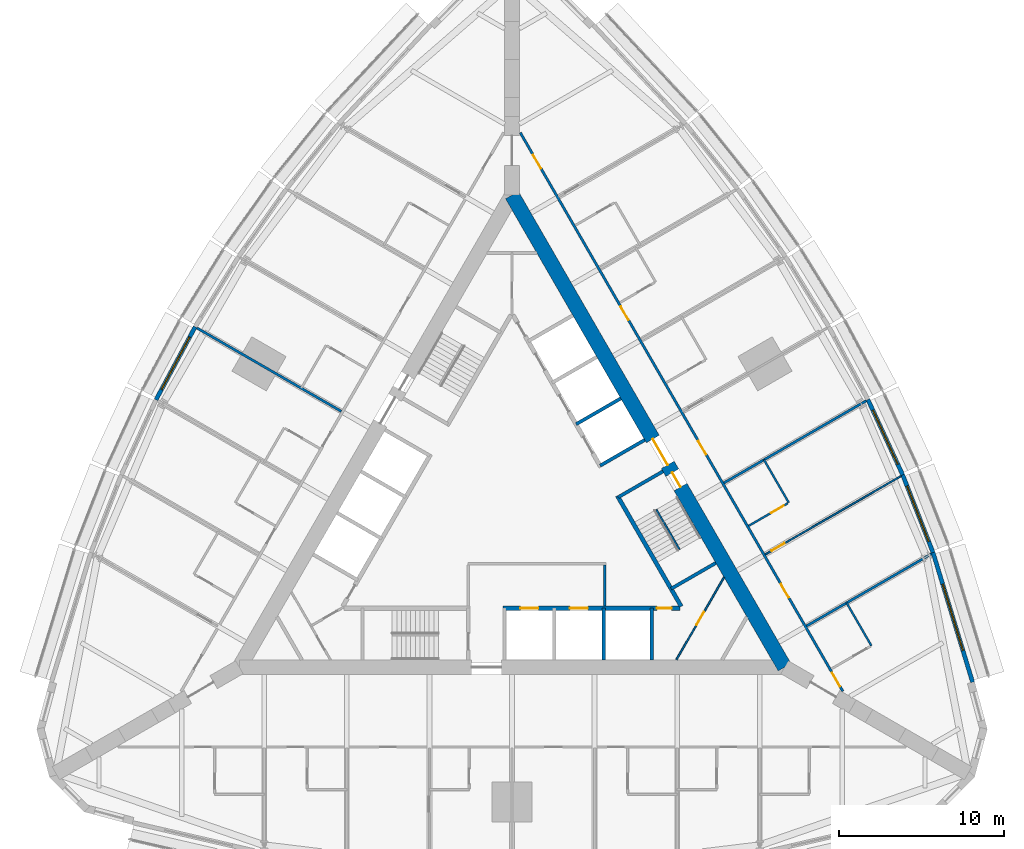
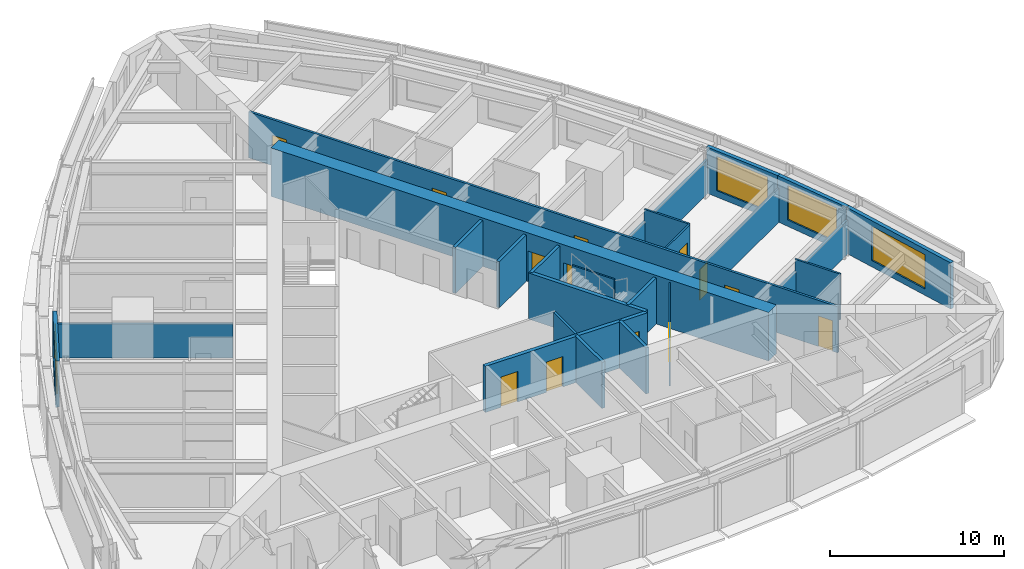
# One storey, part 11 of 14: 24 walls, 13 doors, 4 windows, 17 openings.
"""IFC4 building model written with IfcOpenShell, lengths in metres."""

from ifc_helpers import new_model, si_unit, direction, frame, frame_2d, origin, place, context, subcontext, project, spatial, rectangle, extrude, material, layer, layer_set, type_object, element, fill, save


model = new_model("IFC4")

# Units and contexts
model_context = context("Model", 3, precision=1e-05, world=origin(), true_north=direction((0.0, 1.0)))
body_context = subcontext(model_context, "Body", "Model", "MODEL_VIEW")
ifc_project = project(units=[si_unit("LENGTHUNIT", "METRE"), si_unit("AREAUNIT", "SQUARE_METRE"), si_unit("VOLUMEUNIT", "CUBIC_METRE"), si_unit("PLANEANGLEUNIT", "RADIAN"), si_unit("MASSUNIT", "GRAM", prefix="KILO")], contexts=[model_context])

# Site, building, storey
site_placement = place(None, origin())
site = spatial("IfcSite", under=ifc_project, at=site_placement, CompositionType="ELEMENT")
building_placement = place(site_placement, origin())
building = spatial("IfcBuilding", under=site, at=building_placement, Name="Trikona Tower", CompositionType="ELEMENT")
storey_placement = place(building_placement, frame((0.0, 0.0, 69.300048828125)))
storey = spatial("IfcBuildingStorey", under=building, at=storey_placement, Name="L17", CompositionType="ELEMENT", Elevation=69.300048828125)

# Walls
ifc_material_1 = material(Name="Metal stud and cement board", Category="gypsum")
ifc_layer_1 = layer(ifc_material_1, 0.1201171875)
ifc_layer_set_1 = layer_set([ifc_layer_1], Name="Bathroom wall 120")
wall_type_1 = type_object("IfcWallType", Name="Bathroom wall 120", PredefinedType="PLUMBINGWALL", material=ifc_layer_set_1)
for number, where, z_axis, x_axis, name in (
    (1, (21.75341796875, -8.225341796875, 0.0), (0.0, 0.0, 1.0), (-0.499990139034, 0.866031096941, 0.0), "Bathroom wall 1707"),
    (2, (16.75341796875, 0.434814453125, 0.0), (0.0, 0.0, 1.0), (-0.499990139034, 0.866031096941, 0.0), "Bathroom wall 1708.1"),
):
    element("IfcWall", number, at=place(storey_placement, frame(where, z_axis=z_axis, x_axis=x_axis)), inside=storey, type_object=wall_type_1, Name=name, PredefinedType="PLUMBINGWALL", context=body_context, shape_type="SweptSolid", body=[
        extrude(rectangle(XDim=3.0, YDim=0.1201171875, at=frame_2d((1.5, 0.0))), origin(), (0.0, 0.0, 1.0), 3.23486328125),
    ])

# Wall, opening, door
wall_1_placement = place(storey_placement, frame((14.32861328125, -0.965087890625, 0.0), z_axis=(0.0, 0.0, 1.0), x_axis=(0.866035715982, 0.499982138324, 0.0)))
wall_1 = element("IfcWall", 3, at=wall_1_placement, inside=storey, type_object=wall_type_1, Name="Bathroom wall 1708.1", PredefinedType="PLUMBINGWALL", context=body_context, shape_type="SweptSolid", body=[
    extrude(rectangle(XDim=2.73974609375, YDim=0.1201171875, at=frame_2d((1.369873046875, 0.0))), origin(), (0.0, 0.0, 1.0), 3.23486328125),
])
opening_1_placement = place(wall_1_placement, frame((1.550048828125, 0.0, 0.0)))
opening_1 = element("IfcOpeningElement", 4, at=opening_1_placement, cuts=wall_1, Name="Opening D2", PredefinedType="OPENING", context=body_context, shape_type="SweptSolid", body=[
    extrude(rectangle(XDim=0.89990234375, YDim=2.1298828125, at=frame_2d((0.449951171875, 1.06494140625))), frame((0.0, 0.070068359375, 0.0), z_axis=(0.0, -1.0, 0.0), x_axis=(1.0, 0.0, 0.0)), (0.0, 0.0, 1.0), 0.14013671875),
])
ifc_material_2 = material(Name="Steel door frame with solid-core timber leaf", Category="steel")
door_type_1 = type_object("IfcDoorType", Name="Bathroom door 900x2130", OperationType="SLIDING_TO_LEFT", PredefinedType="DOOR", material=ifc_material_2)
door_1_placement = place(opening_1_placement, origin())
door_1 = element("IfcDoor", 5, at=door_1_placement, inside=storey, type_object=door_type_1, Name="Bathroom door 1708.1", OperationType="SLIDING_TO_LEFT", OverallHeight=2.1298828125, OverallWidth=0.89990234375, PredefinedType="DOOR", context=body_context, shape_type="SweptSolid", body=[
    extrude(rectangle(XDim=0.89990234375, YDim=2.1298828125, at=frame_2d((0.449951171875, 1.06494140625))), frame((0.0, 0.02490234375, 0.0), z_axis=(0.0, -1.0, 0.0), x_axis=(1.0, 0.0, 0.0)), (0.0, 0.0, 1.0), 0.050048828125),
])
fill(opening_1, door_1)

# Wall, openings, doors
ifc_material_3 = material(Name="Concrete f'c 10000 psi", Category="concrete")
ifc_layer_2 = layer(ifc_material_3, 0.89990234375)
ifc_layer_set_2 = layer_set([ifc_layer_2], Name="Core wall 900")
wall_type_2 = type_object("IfcWallType", Name="Core wall 900", PredefinedType="SHEAR", material=ifc_layer_set_2)
wall_2_placement = place(storey_placement, frame((16.5, -9.5263671875, 0.0), z_axis=(0.0, 0.0, 1.0), x_axis=(-0.499999749417, 0.866025548458, 0.0)))
wall_2 = element("IfcWall", 6, at=wall_2_placement, inside=storey, type_object=wall_type_2, Name="Core wall B", PredefinedType="SHEAR", context=body_context, shape_type="SweptSolid", body=[
    extrude(rectangle(XDim=33.0, YDim=0.89990234375, at=frame_2d((16.5, 0.0))), origin(), (0.0, 0.0, 1.0), 3.39990234375),
])
opening_2_placement = place(wall_2_placement, frame((14.14990234375, 0.0, 0.0)))
opening_2 = element("IfcOpeningElement", 7, at=opening_2_placement, cuts=wall_2, Name="Opening D6", PredefinedType="OPENING", context=body_context, shape_type="SweptSolid", body=[
    extrude(rectangle(XDim=1.800048828125, YDim=2.1298828125, at=frame_2d((0.89990234375, 1.06494140625))), frame((0.0, 0.4599609375, 0.0), z_axis=(0.0, -1.0, 0.0), x_axis=(1.0, 0.0, 0.0)), (0.0, 0.0, 1.0), 0.919921875),
])
opening_3_placement = place(wall_2_placement, frame((12.60009765625, 0.0, 0.0)))
opening_3 = element("IfcOpeningElement", 8, at=opening_3_placement, cuts=wall_2, Name="Opening D5", PredefinedType="OPENING", context=body_context, shape_type="SweptSolid", body=[
    extrude(rectangle(XDim=1.0, YDim=2.1298828125, at=frame_2d((0.5, 1.06494140625))), frame((0.0, 0.4599609375, 0.0), z_axis=(0.0, -1.0, 0.0), x_axis=(1.0, 0.0, 0.0)), (0.0, 0.0, 1.0), 0.919921875),
])
ifc_material_4 = material(Name="Hollow metal door and frame", Category="steel")
door_type_2 = type_object("IfcDoorType", Name="Lobby door pair 1800x2130", OperationType="DOUBLE_DOOR_SINGLE_SWING", PredefinedType="DOOR", material=ifc_material_4)
door_2_placement = place(opening_2_placement, origin())
door_2 = element("IfcDoor", 9, at=door_2_placement, inside=storey, type_object=door_type_2, Name="Lift lobby door B", OperationType="DOUBLE_DOOR_SINGLE_SWING", OverallHeight=2.1298828125, OverallWidth=1.800048828125, PredefinedType="DOOR", context=body_context, shape_type="SweptSolid", body=[
    extrude(rectangle(XDim=1.800048828125, YDim=2.1298828125, at=frame_2d((0.89990234375, 1.06494140625))), frame((0.0, 0.02490234375, 0.0), z_axis=(0.0, -1.0, 0.0), x_axis=(1.0, 0.0, 0.0)), (0.0, 0.0, 1.0), 0.050048828125),
])
fill(opening_2, door_2)
ifc_material_5 = material(Name="Hollow metal door and frame", Category="steel")
door_type_3 = type_object("IfcDoorType", Name="Stair door 1000x2130", OperationType="SINGLE_SWING_LEFT", PredefinedType="DOOR", material=ifc_material_5)
door_3_placement = place(opening_3_placement, origin())
door_3 = element("IfcDoor", 10, at=door_3_placement, inside=storey, type_object=door_type_3, Name="Stair B door", OperationType="SINGLE_SWING_RIGHT", OverallHeight=2.1298828125, OverallWidth=1.0, PredefinedType="DOOR", context=body_context, shape_type="SweptSolid", body=[
    extrude(rectangle(XDim=1.0, YDim=2.1298828125, at=frame_2d((0.5, 1.06494140625))), frame((0.0, 0.02490234375, 0.0), z_axis=(0.0, -1.0, 0.0), x_axis=(1.0, 0.0, 0.0)), (0.0, 0.0, 1.0), 0.050048828125),
])
fill(opening_3, door_3)

ifc_material_6 = material(Name="Metal stud and gypsum board, 1-hour", Category="gypsum")
ifc_layer_3 = layer(ifc_material_6, 0.14990234375)
ifc_layer_set_3 = layer_set([ifc_layer_3], Name="Corridor wall 150")
wall_type_3 = type_object("IfcWallType", Name="Corridor wall 150", PredefinedType="PARTITIONING", material=ifc_layer_set_3)
wall_3_placement = place(storey_placement, frame((20.027099609375, -10.9853515625, 0.0), z_axis=(0.0, 0.0, 1.0), x_axis=(-0.500001677587, 0.866024435227, 0.0)))
wall_3 = element("IfcWall", 11, at=wall_3_placement, inside=storey, type_object=wall_type_3, Name="Corridor wall L17-2", PredefinedType="PARTITIONING", context=body_context, shape_type="SweptSolid", body=[
    extrude(rectangle(XDim=39.053955078125, YDim=0.14990234375, at=frame_2d((19.52685546875, 0.0))), origin(), (0.0, 0.0, 1.0), 3.23486328125),
])
opening_4_placement = place(wall_3_placement, frame((0.35205078125, 0.0, 0.0)))
opening_4 = element("IfcOpeningElement", 12, at=opening_4_placement, cuts=wall_3, Name="Opening D1", PredefinedType="OPENING", context=body_context, shape_type="SweptSolid", body=[
    extrude(rectangle(XDim=0.949951171875, YDim=2.1298828125, at=frame_2d((0.47509765625, 1.06494140625))), frame((0.0, 0.0849609375, 0.0), z_axis=(0.0, -1.0, 0.0), x_axis=(1.0, 0.0, 0.0)), (0.0, 0.0, 1.0), 0.169921875),
])
opening_5_placement = place(wall_3_placement, frame((6.552001953125, 0.0, 0.0)))
opening_5 = element("IfcOpeningElement", 13, at=opening_5_placement, cuts=wall_3, Name="Opening D1", PredefinedType="OPENING", context=body_context, shape_type="SweptSolid", body=[
    extrude(rectangle(XDim=0.949951171875, YDim=2.1298828125, at=frame_2d((0.47509765625, 1.06494140625))), frame((0.0, 0.0849609375, 0.0), z_axis=(0.0, -1.0, 0.0), x_axis=(1.0, 0.0, 0.0)), (0.0, 0.0, 1.0), 0.169921875),
])
opening_6_placement = place(wall_3_placement, frame((16.552001953125, 0.0, 0.0)))
opening_6 = element("IfcOpeningElement", 14, at=opening_6_placement, cuts=wall_3, Name="Opening D1", PredefinedType="OPENING", context=body_context, shape_type="SweptSolid", body=[
    extrude(rectangle(XDim=0.949951171875, YDim=2.1298828125, at=frame_2d((0.47509765625, 1.06494140625))), frame((0.0, 0.0849609375, 0.0), z_axis=(0.0, -1.0, 0.0), x_axis=(1.0, 0.0, 0.0)), (0.0, 0.0, 1.0), 0.169921875),
])
opening_7_placement = place(wall_3_placement, frame((25.951904296875, 0.0, 0.0)))
opening_7 = element("IfcOpeningElement", 15, at=opening_7_placement, cuts=wall_3, Name="Opening D1", PredefinedType="OPENING", context=body_context, shape_type="SweptSolid", body=[
    extrude(rectangle(XDim=0.949951171875, YDim=2.1298828125, at=frame_2d((0.47509765625, 1.06494140625))), frame((0.0, 0.0849609375, 0.0), z_axis=(0.0, -1.0, 0.0), x_axis=(1.0, 0.0, 0.0)), (0.0, 0.0, 1.0), 0.169921875),
])
opening_8_placement = place(wall_3_placement, frame((36.545654296875, 0.0, 0.0)))
opening_8 = element("IfcOpeningElement", 16, at=opening_8_placement, cuts=wall_3, Name="Opening D1", PredefinedType="OPENING", context=body_context, shape_type="SweptSolid", body=[
    extrude(rectangle(XDim=0.949951171875, YDim=2.1298828125, at=frame_2d((0.47509765625, 1.06494140625))), frame((0.0, 0.0849609375, 0.0), z_axis=(0.0, -1.0, 0.0), x_axis=(1.0, 0.0, 0.0)), (0.0, 0.0, 1.0), 0.169921875),
])
ifc_material_7 = material(Name="Steel door frame with solid-core timber leaf", Category="steel")
door_type_4 = type_object("IfcDoorType", Name="Guest room door 950x2130", OperationType="SINGLE_SWING_LEFT", PredefinedType="DOOR", material=ifc_material_7)
door_4_placement = place(opening_4_placement, origin())
door_4 = element("IfcDoor", 17, at=door_4_placement, inside=storey, type_object=door_type_4, Name="Room door 1707", OperationType="SINGLE_SWING_LEFT", OverallHeight=2.1298828125, OverallWidth=0.949951171875, PredefinedType="DOOR", context=body_context, shape_type="SweptSolid", body=[
    extrude(rectangle(XDim=0.949951171875, YDim=2.1298828125, at=frame_2d((0.47509765625, 1.06494140625))), frame((0.0, 0.02490234375, 0.0), z_axis=(0.0, -1.0, 0.0), x_axis=(1.0, 0.0, 0.0)), (0.0, 0.0, 1.0), 0.050048828125),
])
fill(opening_4, door_4)
door_5_placement = place(opening_5_placement, origin())
door_5 = element("IfcDoor", 18, at=door_5_placement, inside=storey, type_object=door_type_4, Name="Room door 1708", OperationType="SINGLE_SWING_RIGHT", OverallHeight=2.1298828125, OverallWidth=0.949951171875, PredefinedType="DOOR", context=body_context, shape_type="SweptSolid", body=[
    extrude(rectangle(XDim=0.949951171875, YDim=2.1298828125, at=frame_2d((0.47509765625, 1.06494140625))), frame((0.0, 0.02490234375, 0.0), z_axis=(0.0, -1.0, 0.0), x_axis=(1.0, 0.0, 0.0)), (0.0, 0.0, 1.0), 0.050048828125),
])
fill(opening_5, door_5)
door_6_placement = place(opening_6_placement, origin())
door_6 = element("IfcDoor", 19, at=door_6_placement, inside=storey, type_object=door_type_4, Name="Room door 1709", OperationType="SINGLE_SWING_LEFT", OverallHeight=2.1298828125, OverallWidth=0.949951171875, PredefinedType="DOOR", context=body_context, shape_type="SweptSolid", body=[
    extrude(rectangle(XDim=0.949951171875, YDim=2.1298828125, at=frame_2d((0.47509765625, 1.06494140625))), frame((0.0, 0.02490234375, 0.0), z_axis=(0.0, -1.0, 0.0), x_axis=(1.0, 0.0, 0.0)), (0.0, 0.0, 1.0), 0.050048828125),
])
fill(opening_6, door_6)
door_7_placement = place(opening_7_placement, origin())
door_7 = element("IfcDoor", 20, at=door_7_placement, inside=storey, type_object=door_type_4, Name="Room door 1710", OperationType="SINGLE_SWING_RIGHT", OverallHeight=2.1298828125, OverallWidth=0.949951171875, PredefinedType="DOOR", context=body_context, shape_type="SweptSolid", body=[
    extrude(rectangle(XDim=0.949951171875, YDim=2.1298828125, at=frame_2d((0.47509765625, 1.06494140625))), frame((0.0, 0.02490234375, 0.0), z_axis=(0.0, -1.0, 0.0), x_axis=(1.0, 0.0, 0.0)), (0.0, 0.0, 1.0), 0.050048828125),
])
fill(opening_7, door_7)
door_8_placement = place(opening_8_placement, origin())
door_8 = element("IfcDoor", 21, at=door_8_placement, inside=storey, type_object=door_type_4, Name="Room door 1711", OperationType="SINGLE_SWING_RIGHT", OverallHeight=2.1298828125, OverallWidth=0.949951171875, PredefinedType="DOOR", context=body_context, shape_type="SweptSolid", body=[
    extrude(rectangle(XDim=0.949951171875, YDim=2.1298828125, at=frame_2d((0.47509765625, 1.06494140625))), frame((0.0, 0.02490234375, 0.0), z_axis=(0.0, -1.0, 0.0), x_axis=(1.0, 0.0, 0.0)), (0.0, 0.0, 1.0), 0.050048828125),
])
fill(opening_8, door_8)

ifc_material_8 = material(Name="Concrete f'c 8000 psi", Category="concrete")
ifc_layer_4 = layer(ifc_material_8, 0.25)
ifc_layer_set_4 = layer_set([ifc_layer_4], Name="Hub wall 250")
wall_type_4 = type_object("IfcWallType", Name="Hub wall 250", PredefinedType="SOLIDWALL", material=ifc_layer_set_4)
wall_4_placement = place(storey_placement, frame((-0.550048828125, -5.951416015625, 0.0), z_axis=(0.0, 0.0, 1.0), x_axis=(1.0, 0.0, 0.0)))
wall_4 = element("IfcWall", 22, at=wall_4_placement, inside=storey, type_object=wall_type_4, Name="Lift lobby wall A2", PredefinedType="SOLIDWALL", context=body_context, shape_type="SweptSolid", body=[
    extrude(rectangle(XDim=10.73291015625, YDim=0.25, at=frame_2d((5.366455078125, 0.0))), origin(), (0.0, 0.0, 1.0), 3.23486328125),
])
opening_9_placement = place(wall_4_placement, frame((9.31396484375, 0.0, 0.0)))
opening_9 = element("IfcOpeningElement", 23, at=opening_9_placement, cuts=wall_4, Name="Opening D14", PredefinedType="OPENING", context=body_context, shape_type="SweptSolid", body=[
    extrude(rectangle(XDim=0.89990234375, YDim=2.1298828125, at=frame_2d((0.449951171875, 1.06494140625))), frame((0.0, 0.135009765625, 0.0), z_axis=(0.0, -1.0, 0.0), x_axis=(1.0, 0.0, 0.0)), (0.0, 0.0, 1.0), 0.27001953125),
])
opening_10_placement = place(wall_4_placement, frame((1.050048828125, 0.0, 0.0)))
opening_10 = element("IfcOpeningElement", 24, at=opening_10_placement, cuts=wall_4, Name="Opening LD", PredefinedType="OPENING", context=body_context, shape_type="SweptSolid", body=[
    extrude(rectangle(XDim=1.10009765625, YDim=2.1298828125, at=frame_2d((0.550048828125, 1.06494140625))), frame((0.0, 0.135009765625, 0.0), z_axis=(0.0, -1.0, 0.0), x_axis=(1.0, 0.0, 0.0)), (0.0, 0.0, 1.0), 0.27001953125),
])
opening_11_placement = place(wall_4_placement, frame((4.050048828125, 0.0, 0.0)))
opening_11 = element("IfcOpeningElement", 25, at=opening_11_placement, cuts=wall_4, Name="Opening LD", PredefinedType="OPENING", context=body_context, shape_type="SweptSolid", body=[
    extrude(rectangle(XDim=1.10009765625, YDim=2.1298828125, at=frame_2d((0.550048828125, 1.06494140625))), frame((0.0, 0.135009765625, 0.0), z_axis=(0.0, -1.0, 0.0), x_axis=(1.0, 0.0, 0.0)), (0.0, 0.0, 1.0), 0.27001953125),
])
ifc_material_9 = material(Name="Stainless steel lift landing door", Category="steel")
door_type_5 = type_object("IfcDoorType", Name="Lift landing door 1100x2130", OperationType="DOUBLE_DOOR_SLIDING", PredefinedType="USERDEFINED", material=ifc_material_9)
door_9_placement = place(opening_10_placement, origin())
door_9 = element("IfcDoor", 26, at=door_9_placement, inside=storey, type_object=door_type_5, Name="Lift landing door FF1", ObjectType="LIFT LANDING DOOR", OperationType="DOUBLE_DOOR_SLIDING", OverallHeight=2.1298828125, OverallWidth=1.10009765625, PredefinedType="USERDEFINED", context=body_context, shape_type="SweptSolid", body=[
    extrude(rectangle(XDim=1.10009765625, YDim=2.1298828125, at=frame_2d((0.550048828125, 1.06494140625))), frame((0.0, 0.02490234375, 0.0), z_axis=(0.0, -1.0, 0.0), x_axis=(1.0, 0.0, 0.0)), (0.0, 0.0, 1.0), 0.050048828125),
])
fill(opening_10, door_9)
door_10_placement = place(opening_11_placement, origin())
door_10 = element("IfcDoor", 27, at=door_10_placement, inside=storey, type_object=door_type_5, Name="Lift landing door FF2", ObjectType="LIFT LANDING DOOR", OperationType="DOUBLE_DOOR_SLIDING", OverallHeight=2.1298828125, OverallWidth=1.10009765625, PredefinedType="USERDEFINED", context=body_context, shape_type="SweptSolid", body=[
    extrude(rectangle(XDim=1.10009765625, YDim=2.1298828125, at=frame_2d((0.550048828125, 1.06494140625))), frame((0.0, 0.02490234375, 0.0), z_axis=(0.0, -1.0, 0.0), x_axis=(1.0, 0.0, 0.0)), (0.0, 0.0, 1.0), 0.050048828125),
])
fill(opening_11, door_10)
ifc_material_10 = material(Name="Hollow metal door and frame", Category="steel")
door_type_6 = type_object("IfcDoorType", Name="Service room door 900x2130", OperationType="SINGLE_SWING_LEFT", PredefinedType="DOOR", material=ifc_material_10)
door_11_placement = place(opening_9_placement, origin())
door_11 = element("IfcDoor", 28, at=door_11_placement, inside=storey, type_object=door_type_6, Name="Door Ice and vending ICE", OperationType="SINGLE_SWING_RIGHT", OverallHeight=2.1298828125, OverallWidth=0.89990234375, PredefinedType="DOOR", context=body_context, shape_type="SweptSolid", body=[
    extrude(rectangle(XDim=0.89990234375, YDim=2.1298828125, at=frame_2d((0.449951171875, 1.06494140625))), frame((0.0, 0.02490234375, 0.0), z_axis=(0.0, -1.0, 0.0), x_axis=(1.0, 0.0, 0.0)), (0.0, 0.0, 1.0), 0.050048828125),
])
fill(opening_9, door_11)

# Wall
wall_5_placement = place(storey_placement, frame((10.245361328125, -5.843017578125, 0.0), z_axis=(0.0, 0.0, 1.0), x_axis=(-0.499993009313, 0.866029439822, 0.0)))
element("IfcWall", 29, at=wall_5_placement, inside=storey, type_object=wall_type_4, Name="Lift lobby wall B1", PredefinedType="SOLIDWALL", context=body_context, shape_type="SweptSolid", body=[
    extrude(rectangle(XDim=7.73291015625, YDim=0.25, at=frame_2d((3.866455078125, 0.0))), origin(), (0.0, 0.0, 1.0), 3.23486328125),
])

# Wall, opening, window
ifc_material_11 = material(Name="Insulated precast concrete spandrel panel", Category="concrete")
ifc_layer_5 = layer(ifc_material_11, 0.25)
ifc_layer_set_5 = layer_set([ifc_layer_5], Name="Inner skin wall 250")
wall_type_5 = type_object("IfcWallType", Name="Inner skin wall 250", PredefinedType="STANDARD", material=ifc_layer_set_5)
wall_6_placement = place(storey_placement, frame((27.88037109375, -10.4287109375, 0.0), z_axis=(0.0, 0.0, 1.0), x_axis=(-0.2919790669, 0.956424709265, 0.0)))
wall_6 = element("IfcWall", 30, at=wall_6_placement, inside=storey, type_object=wall_type_5, Name="External wall L17-12", PredefinedType="STANDARD", context=body_context, shape_type="SweptSolid", body=[
    extrude(rectangle(XDim=8.211181640625, YDim=0.25, at=frame_2d((4.10546875, 0.0))), origin(), (0.0, 0.0, 1.0), 3.23486328125),
])
opening_12_placement = place(wall_6_placement, frame((2.005615234375, 0.0, 0.449951171875)))
opening_12 = element("IfcOpeningElement", 31, at=opening_12_placement, cuts=wall_6, Name="Opening W4224", PredefinedType="OPENING", context=body_context, shape_type="SweptSolid", body=[
    extrude(rectangle(XDim=4.199951171875, YDim=2.39990234375, at=frame_2d((2.10009765625, 1.199951171875))), frame((0.0, 0.135009765625, 0.0), z_axis=(0.0, -1.0, 0.0), x_axis=(1.0, 0.0, 0.0)), (0.0, 0.0, 1.0), 0.27001953125),
])
ifc_material_12 = material(Name="Aluminium-framed double glazing", Category="aluminium")
window_type_1 = type_object("IfcWindowType", Name="Window 4200x2400", PartitioningType="SINGLE_PANEL", PredefinedType="WINDOW", material=ifc_material_12)
window_1_placement = place(opening_12_placement, origin())
window_1 = element("IfcWindow", 32, at=window_1_placement, inside=storey, type_object=window_type_1, Name="Window 1707", OverallHeight=2.39990234375, OverallWidth=4.199951171875, PartitioningType="SINGLE_PANEL", PredefinedType="WINDOW", context=body_context, shape_type="SweptSolid", body=[
    extrude(rectangle(XDim=4.199951171875, YDim=2.39990234375, at=frame_2d((2.10009765625, 1.199951171875))), frame((0.0, 0.030029296875, 0.0), z_axis=(0.0, -1.0, 0.0), x_axis=(1.0, 0.0, 0.0)), (0.0, 0.0, 1.0), 0.06005859375),
])
fill(opening_12, window_1)

wall_7_placement = place(storey_placement, frame((25.486083984375, -2.58447265625, 0.0), z_axis=(0.0, 0.0, 1.0), x_axis=(-0.364013463868, 0.931393685894, 0.0)))
wall_7 = element("IfcWall", 33, at=wall_7_placement, inside=storey, type_object=wall_type_5, Name="External wall L17-13", PredefinedType="STANDARD", context=body_context, shape_type="SweptSolid", body=[
    extrude(rectangle(XDim=5.0576171875, YDim=0.25, at=frame_2d((2.52880859375, 0.0))), origin(), (0.0, 0.0, 1.0), 3.23486328125),
])
opening_13_placement = place(wall_7_placement, frame((0.728759765625, 0.0, 0.449951171875)))
opening_13 = element("IfcOpeningElement", 34, at=opening_13_placement, cuts=wall_7, Name="Opening W3624", PredefinedType="OPENING", context=body_context, shape_type="SweptSolid", body=[
    extrude(rectangle(XDim=3.60009765625, YDim=2.39990234375, at=frame_2d((1.800048828125, 1.199951171875))), frame((0.0, 0.135009765625, 0.0), z_axis=(0.0, -1.0, 0.0), x_axis=(1.0, 0.0, 0.0)), (0.0, 0.0, 1.0), 0.27001953125),
])
ifc_material_13 = material(Name="Aluminium-framed double glazing", Category="aluminium")
window_type_2 = type_object("IfcWindowType", Name="Window 3600x2400", PartitioningType="SINGLE_PANEL", PredefinedType="WINDOW", material=ifc_material_13)
window_2_placement = place(opening_13_placement, origin())
window_2 = element("IfcWindow", 35, at=window_2_placement, inside=storey, type_object=window_type_2, Name="Window 1708", OverallHeight=2.39990234375, OverallWidth=3.60009765625, PartitioningType="SINGLE_PANEL", PredefinedType="WINDOW", context=body_context, shape_type="SweptSolid", body=[
    extrude(rectangle(XDim=3.60009765625, YDim=2.39990234375, at=frame_2d((1.800048828125, 1.199951171875))), frame((0.0, 0.030029296875, 0.0), z_axis=(0.0, -1.0, 0.0), x_axis=(1.0, 0.0, 0.0)), (0.0, 0.0, 1.0), 0.06005859375),
])
fill(opening_13, window_2)

wall_8_placement = place(storey_placement, frame((23.64794921875, 2.119384765625, 0.0), z_axis=(0.0, 0.0, 1.0), x_axis=(-0.419203100754, 0.907892482796, 0.0)))
wall_8 = element("IfcWall", 36, at=wall_8_placement, inside=storey, type_object=wall_type_5, Name="External wall L17-14", PredefinedType="STANDARD", context=body_context, shape_type="SweptSolid", body=[
    extrude(rectangle(XDim=5.020751953125, YDim=0.25, at=frame_2d((2.51025390625, 0.0))), origin(), (0.0, 0.0, 1.0), 3.23486328125),
])
opening_14_placement = place(wall_8_placement, frame((0.71044921875, 0.0, 0.449951171875)))
opening_14 = element("IfcOpeningElement", 37, at=opening_14_placement, cuts=wall_8, Name="Opening W3624", PredefinedType="OPENING", context=body_context, shape_type="SweptSolid", body=[
    extrude(rectangle(XDim=3.60009765625, YDim=2.39990234375, at=frame_2d((1.800048828125, 1.199951171875))), frame((0.0, 0.135009765625, 0.0), z_axis=(0.0, -1.0, 0.0), x_axis=(1.0, 0.0, 0.0)), (0.0, 0.0, 1.0), 0.27001953125),
])
window_3_placement = place(opening_14_placement, origin())
window_3 = element("IfcWindow", 38, at=window_3_placement, inside=storey, type_object=window_type_2, Name="Window 1708.1", OverallHeight=2.39990234375, OverallWidth=3.60009765625, PartitioningType="SINGLE_PANEL", PredefinedType="WINDOW", context=body_context, shape_type="SweptSolid", body=[
    extrude(rectangle(XDim=3.60009765625, YDim=2.39990234375, at=frame_2d((1.800048828125, 1.199951171875))), frame((0.0, 0.030029296875, 0.0), z_axis=(0.0, -1.0, 0.0), x_axis=(1.0, 0.0, 0.0)), (0.0, 0.0, 1.0), 0.06005859375),
])
fill(opening_14, window_3)

wall_9_placement = place(storey_placement, frame((-19.178466796875, 11.0771484375, 0.0), z_axis=(0.0, 0.0, 1.0), x_axis=(-0.473412820489, -0.880840678782, 0.0)))
wall_9 = element("IfcWall", 39, at=wall_9_placement, inside=storey, type_object=wall_type_5, Name="External wall L17-28", PredefinedType="STANDARD", context=body_context, shape_type="SweptSolid", body=[
    extrude(rectangle(XDim=5.00244140625, YDim=0.25, at=frame_2d((2.501220703125, 0.0))), origin(), (0.0, 0.0, 1.0), 3.23486328125),
])
opening_15_placement = place(wall_9_placement, frame((0.701171875, 0.0, 0.449951171875)))
opening_15 = element("IfcOpeningElement", 40, at=opening_15_placement, cuts=wall_9, Name="Opening W3624", PredefinedType="OPENING", context=body_context, shape_type="SweptSolid", body=[
    extrude(rectangle(XDim=3.60009765625, YDim=2.39990234375, at=frame_2d((1.800048828125, 1.199951171875))), frame((0.0, 0.135009765625, 0.0), z_axis=(0.0, -1.0, 0.0), x_axis=(1.0, 0.0, 0.0)), (0.0, 0.0, 1.0), 0.27001953125),
])
window_4_placement = place(opening_15_placement, origin())
window_4 = element("IfcWindow", 41, at=window_4_placement, inside=storey, type_object=window_type_2, Name="Window 1714", OverallHeight=2.39990234375, OverallWidth=3.60009765625, PartitioningType="SINGLE_PANEL", PredefinedType="WINDOW", context=body_context, shape_type="SweptSolid", body=[
    extrude(rectangle(XDim=3.60009765625, YDim=2.39990234375, at=frame_2d((1.800048828125, 1.199951171875))), frame((0.0, 0.030029296875, 0.0), z_axis=(0.0, -1.0, 0.0), x_axis=(1.0, 0.0, 0.0)), (0.0, 0.0, 1.0), 0.06005859375),
])
fill(opening_15, window_4)

# Walls
ifc_material_14 = material(Name="Metal stud and gypsum board, 2-hour shaft wall", Category="gypsum")
ifc_layer_6 = layer(ifc_material_14, 0.14990234375)
ifc_layer_set_6 = layer_set([ifc_layer_6], Name="Lobby wall 150")
wall_type_6 = type_object("IfcWallType", Name="Lobby wall 150", PredefinedType="PARTITIONING", material=ifc_layer_set_6)
wall_10_placement = place(storey_placement, frame((5.625, -5.826416015625, 0.0), z_axis=(0.0, 0.0, 1.0), x_axis=(0.0, 1.0, 0.0)))
element("IfcWall", 42, at=wall_10_placement, inside=storey, type_object=wall_type_6, Name="Fire service lift lobby wall 3", PredefinedType="PARTITIONING", context=body_context, shape_type="SweptSolid", body=[
    extrude(rectangle(XDim=2.5, YDim=0.14990234375, at=frame_2d((1.25, 0.0))), origin(), (0.0, 0.0, 1.0), 3.23486328125),
])
ifc_material_15 = material(Name="Metal stud and gypsum board, 1-hour acoustic", Category="gypsum")
ifc_layer_7 = layer(ifc_material_15, 0.14990234375)
ifc_layer_set_7 = layer_set([ifc_layer_7], Name="Party wall 150")
wall_type_7 = type_object("IfcWallType", Name="Party wall 150", PredefinedType="PARTITIONING", material=ifc_layer_set_7)
wall_11_placement = place(storey_placement, frame((17.82861328125, -7.027099609375, 0.0), z_axis=(0.0, 0.0, 1.0), x_axis=(0.866032659912, 0.499987431809, 0.0)))
element("IfcWall", 43, at=wall_11_placement, inside=storey, type_object=wall_type_7, Name="Partition L17 F2 u-15", PredefinedType="PARTITIONING", context=body_context, shape_type="SweptSolid", body=[
    extrude(rectangle(XDim=8.719970703125, YDim=0.14990234375, at=frame_2d((4.35986328125, 0.0))), origin(), (0.0, 0.0, 1.0), 2.38916015625),
])
wall_12_placement = place(storey_placement, frame((12.82861328125, 1.633056640625, 0.0), z_axis=(0.0, 0.0, 1.0), x_axis=(0.866026934769, 0.499997348248, 0.0)))
element("IfcWall", 44, at=wall_12_placement, inside=storey, type_object=wall_type_7, Name="Partition L17 F2 u-5", PredefinedType="PARTITIONING", context=body_context, shape_type="SweptSolid", body=[
    extrude(rectangle(XDim=9.94287109375, YDim=0.14990234375, at=frame_2d((4.971435546875, 0.0))), origin(), (0.0, 0.0, 1.0), 2.38916015625),
])
wall_13_placement = place(storey_placement, frame((-10.32861328125, 5.963134765625, 0.0), z_axis=(0.0, 0.0, 1.0), x_axis=(-0.866021688545, 0.500006434927, 0.0)))
element("IfcWall", 45, at=wall_13_placement, inside=storey, type_object=wall_type_7, Name="Partition L17 F3 u-5.10703e-15", PredefinedType="PARTITIONING", context=body_context, shape_type="SweptSolid", body=[
    extrude(rectangle(XDim=10.095947265625, YDim=0.14990234375, at=frame_2d((5.0478515625, 0.0))), origin(), (0.0, 0.0, 1.0), 2.38916015625),
])
ifc_material_16 = material(Name="Concrete f'c 8000 psi", Category="concrete")
ifc_layer_8 = layer(ifc_material_16, 0.199951171875)
ifc_layer_set_8 = layer_set([ifc_layer_8], Name="Shaft wall 200")
wall_type_8 = type_object("IfcWallType", Name="Shaft wall 200", PredefinedType="SOLIDWALL", material=ifc_layer_set_8)
for number, where, z_axis, x_axis, name in (
    (46, (5.550048828125, -5.951416015625, 0.0), (0.0, 0.0, 1.0), (0.0, -1.0, 0.0), "Shaft wall A5"),
    (47, (8.449951171875, -5.951416015625, 0.0), (0.0, 0.0, 1.0), (0.0, -1.0, 0.0), "Shaft wall A6"),
    (48, (5.3291015625, 2.672607421875, 0.0), (0.0, 0.0, 1.0), (0.866022959057, 0.500004234368, 0.0), "Shaft wall B3"),
    (49, (3.87890625, 5.18408203125, 0.0), (0.0, 0.0, 1.0), (0.866022959057, 0.500004234368, 0.0), "Shaft wall B4"),
):
    element("IfcWall", number, at=place(storey_placement, frame(where, z_axis=z_axis, x_axis=x_axis)), inside=storey, type_object=wall_type_8, Name=name, PredefinedType="SOLIDWALL", context=body_context, shape_type="SweptSolid", body=[
        extrude(rectangle(XDim=3.125, YDim=0.199951171875, at=frame_2d((1.5625, 0.0))), origin(), (0.0, 0.0, 1.0), 3.23486328125),
    ])
ifc_material_17 = material(Name="Concrete f'c 8000 psi", Category="concrete")
ifc_layer_9 = layer(ifc_material_17, 0.199951171875)
ifc_layer_set_9 = layer_set([ifc_layer_9], Name="Shaft wall 200 load-bearing")
wall_type_9 = type_object("IfcWallType", Name="Shaft wall 200 load-bearing", PredefinedType="SOLIDWALL", material=ifc_layer_set_9)
for number, where, z_axis, x_axis, name in (
    (50, (9.62890625, -4.775390625, 0.0), (0.0, 0.0, 1.0), (0.866022959057, 0.500004234368, 0.0), "Shaft wall B1"),
    (51, (6.428955078125, 0.767333984375, 0.0), (0.0, 0.0, 1.0), (0.866022959057, 0.500004234368, 0.0), "Shaft wall B2"),
):
    element("IfcWall", number, at=place(storey_placement, frame(where, z_axis=z_axis, x_axis=x_axis)), inside=storey, type_object=wall_type_9, Name=name, PredefinedType="SOLIDWALL", context=body_context, shape_type="SweptSolid", body=[
        extrude(rectangle(XDim=3.125, YDim=0.199951171875, at=frame_2d((1.5625, 0.0))), origin(), (0.0, 0.0, 1.0), 3.23486328125),
    ])
ifc_material_18 = material(Name="Concrete f'c 5000 psi", Category="concrete")
ifc_layer_10 = layer(ifc_material_18, 0.10009765625)
ifc_layer_set_10 = layer_set([ifc_layer_10], Name="Stair spine wall 100")
wall_type_10 = type_object("IfcWallType", Name="Stair spine wall 100", PredefinedType="SOLIDWALL", material=ifc_layer_set_10)
wall_14_placement = place(storey_placement, frame((10.134765625, -2.4013671875, 0.0), z_axis=(0.0, 0.0, 1.0), x_axis=(-0.499992232847, 0.866029888106, 0.0)))
element("IfcWall", 52, at=wall_14_placement, inside=storey, type_object=wall_type_10, Name="Stair B spine wall L17", PredefinedType="SOLIDWALL", context=body_context, shape_type="SweptSolid", body=[
    extrude(rectangle(XDim=2.7939453125, YDim=0.10009765625, at=frame_2d((1.39697265625, 0.0))), origin(), (0.0, 0.0, 1.0), 3.39990234375),
])

# Wall, opening, door
ifc_material_19 = material(Name="Metal stud and gypsum board, acoustic", Category="gypsum")
ifc_layer_11 = layer(ifc_material_19, 0.10009765625)
ifc_layer_set_11 = layer_set([ifc_layer_11], Name="Suite partition 100")
wall_type_11 = type_object("IfcWallType", Name="Suite partition 100", PredefinedType="PARTITIONING", material=ifc_layer_set_11)
wall_15_placement = place(storey_placement, frame((15.32861328125, -2.697021484375, 0.0), z_axis=(0.0, 0.0, 1.0), x_axis=(0.866018409083, 0.500012114982, 0.0)))
wall_15 = element("IfcWall", 53, at=wall_15_placement, inside=storey, type_object=wall_type_11, Name="Suite partition L17 F2 u-10", PredefinedType="PARTITIONING", context=body_context, shape_type="SweptSolid", body=[
    extrude(rectangle(XDim=9.484619140625, YDim=0.10009765625, at=frame_2d((4.7421875, 0.0))), origin(), (0.0, 0.0, 1.0), 2.38916015625),
])
opening_16_placement = place(wall_15_placement, frame((0.449951171875, 0.0, 0.0)))
opening_16 = element("IfcOpeningElement", 54, at=opening_16_placement, cuts=wall_15, Name="Opening D13", PredefinedType="OPENING", context=body_context, shape_type="SweptSolid", body=[
    extrude(rectangle(XDim=0.89990234375, YDim=2.1298828125, at=frame_2d((0.449951171875, 1.06494140625))), frame((0.0, 0.06005859375, 0.0), z_axis=(0.0, -1.0, 0.0), x_axis=(1.0, 0.0, 0.0)), (0.0, 0.0, 1.0), 0.1201171875),
])
ifc_material_20 = material(Name="Steel door frame with solid-core timber leaf", Category="steel")
door_type_7 = type_object("IfcDoorType", Name="Suite door 900x2130", OperationType="SINGLE_SWING_LEFT", PredefinedType="DOOR", material=ifc_material_20)
door_12_placement = place(opening_16_placement, origin())
door_12 = element("IfcDoor", 55, at=door_12_placement, inside=storey, type_object=door_type_7, Name="Suite door 1708", OperationType="SINGLE_SWING_LEFT", OverallHeight=2.1298828125, OverallWidth=0.89990234375, PredefinedType="DOOR", context=body_context, shape_type="SweptSolid", body=[
    extrude(rectangle(XDim=0.89990234375, YDim=2.1298828125, at=frame_2d((0.449951171875, 1.06494140625))), frame((0.0, 0.02490234375, 0.0), z_axis=(0.0, -1.0, 0.0), x_axis=(1.0, 0.0, 0.0)), (0.0, 0.0, 1.0), 0.050048828125),
])
fill(opening_16, door_12)

wall_16_placement = place(storey_placement, frame((12.833984375, -4.076416015625, 0.0), z_axis=(0.0, 0.0, 1.0), x_axis=(-0.500027479704, -0.866009537788, 0.0)))
wall_16 = element("IfcWall", 56, at=wall_16_placement, inside=storey, type_object=wall_type_11, Name="Store partition L17-RS1", PredefinedType="PARTITIONING", context=body_context, shape_type="SweptSolid", body=[
    extrude(rectangle(XDim=5.773681640625, YDim=0.10009765625, at=frame_2d((2.88671875, 0.0))), origin(), (0.0, 0.0, 1.0), 3.23486328125),
])
opening_17_placement = place(wall_16_placement, frame((2.436767578125, 0.0, 0.0)))
opening_17 = element("IfcOpeningElement", 57, at=opening_17_placement, cuts=wall_16, Name="Opening D15", PredefinedType="OPENING", context=body_context, shape_type="SweptSolid", body=[
    extrude(rectangle(XDim=0.89990234375, YDim=2.1298828125, at=frame_2d((0.449951171875, 1.06494140625))), frame((0.0, 0.06005859375, 0.0), z_axis=(0.0, -1.0, 0.0), x_axis=(1.0, 0.0, 0.0)), (0.0, 0.0, 1.0), 0.1201171875),
])
ifc_material_21 = material(Name="Steel door frame with solid-core timber leaf", Category="steel")
door_type_8 = type_object("IfcDoorType", Name="Store door 900x2130", OperationType="SINGLE_SWING_LEFT", PredefinedType="DOOR", material=ifc_material_21)
door_13_placement = place(opening_17_placement, origin())
door_13 = element("IfcDoor", 58, at=door_13_placement, inside=storey, type_object=door_type_8, Name="Door Cleaner's store CLN", OperationType="SINGLE_SWING_RIGHT", OverallHeight=2.1298828125, OverallWidth=0.89990234375, PredefinedType="DOOR", context=body_context, shape_type="SweptSolid", body=[
    extrude(rectangle(XDim=0.89990234375, YDim=2.1298828125, at=frame_2d((0.449951171875, 1.06494140625))), frame((0.0, 0.02490234375, 0.0), z_axis=(0.0, -1.0, 0.0), x_axis=(1.0, 0.0, 0.0)), (0.0, 0.0, 1.0), 0.050048828125),
])
fill(opening_17, door_13)

save(model, "model.ifc")
